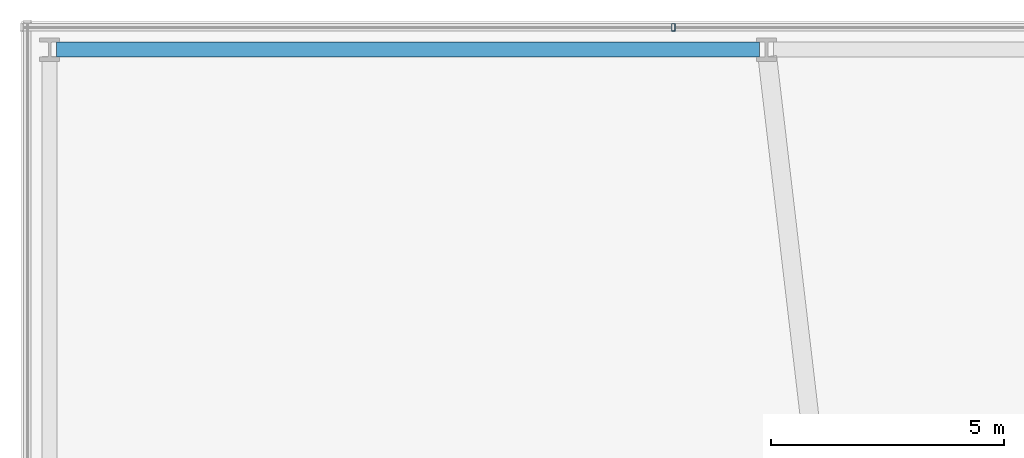
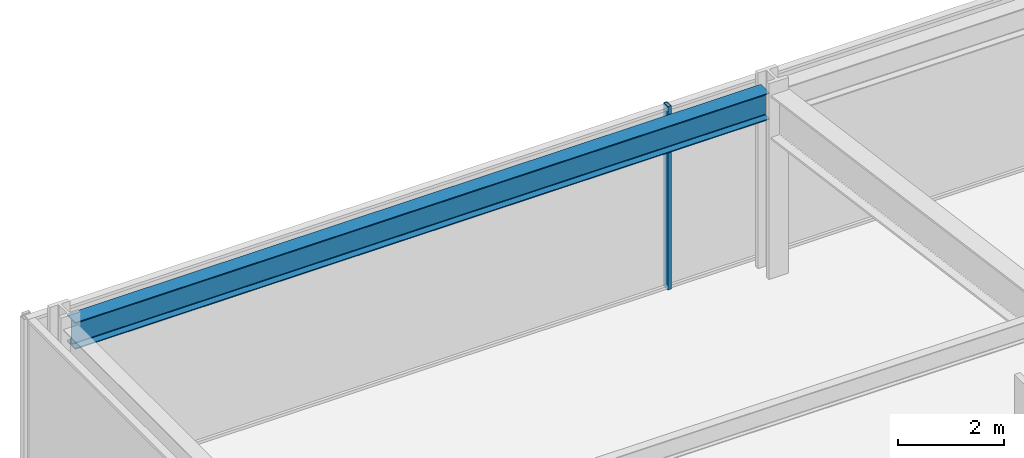
# One storey, part 29 of 47: 1 beam, 1 member, 1 element without a shape of its own.
"""IFC4 building model written with IfcOpenShell, lengths in metres."""

from ifc_helpers import new_model, si_unit, direction, frame, origin, origin_2d, place, context, subcontext, project, spatial, hollow_rectangle, i_section, extrude, material, material_profile, profile_set, type_object, element, aggregate, save


model = new_model("IFC4")

# Units and contexts
model_context = context("Model", 3, precision=1e-05, world=origin(), true_north=direction((0.0, 1.0)))
body_context = subcontext(model_context, "Body", "Model", "MODEL_VIEW")
ifc_project = project(units=[si_unit("LENGTHUNIT", "METRE"), si_unit("AREAUNIT", "SQUARE_METRE"), si_unit("VOLUMEUNIT", "CUBIC_METRE"), si_unit("PLANEANGLEUNIT", "RADIAN"), si_unit("MASSUNIT", "GRAM", prefix="KILO")], contexts=[model_context])

# Site, building, storey
site_placement = place(None, origin())
site = spatial("IfcSite", under=ifc_project, at=site_placement, CompositionType="ELEMENT")
building_placement = place(site_placement, origin())
building = spatial("IfcBuilding", under=site, at=building_placement, Name="Kolvaren Belvedere", CompositionType="ELEMENT")
storey_placement = place(building_placement, frame((0.0, 0.0, 5.5)))
storey = spatial("IfcBuildingStorey", under=building, at=storey_placement, Name="L02", CompositionType="ELEMENT", Elevation=5.5)

# Beam
ifc_material_1 = material(Name="Structural steel ASTM A992 Grade 50", Category="steel")
ifc_material_profile_1 = material_profile(ifc_material_1, i_section(OverallWidth=0.324951171875, OverallDepth=0.615966796875, WebThickness=0.013916015625, FlangeThickness=0.021484375, FilletRadius=0.02001953125, at=origin_2d()), Name="W24X117")
ifc_profile_set_1 = profile_set([ifc_material_profile_1], Name="Structural steel ASTM A992 Grade 50")
beam_type = type_object("IfcBeamType", Name="BM-SPAN-W24X117", PredefinedType="SPANDREL", material=ifc_profile_set_1)
beam_placement = place(storey_placement, frame((-27.25, 27.800048828125, 3.912109375), z_axis=(1.0, 0.0, 0.0), x_axis=(0.0, 1.0, 0.0)))
element("IfcBeam", 1, at=beam_placement, inside=storey, type_object=beam_type, Name="L02 North Podium Spandrel 1", PredefinedType="SPANDREL", context=body_context, shape_type="SweptSolid", body=[
    extrude(i_section(OverallWidth=0.324951171875, OverallDepth=0.615966796875, WebThickness=0.013916015625, FlangeThickness=0.021484375, FilletRadius=0.02001953125, at=origin_2d()), origin(), (0.0, 0.0, 1.0), 15.10009765625),
])

# Curtain wall, member
ifc_material_2 = material(Name="Anodised pale-metal aluminium AA 6063-T6", Category="aluminium")
curtain_wall_type = type_object("IfcCurtainWallType", Name="CW-POD-A", PredefinedType="NOTDEFINED", material=ifc_material_2)
curtain_wall_placement = place(storey_placement, origin())
curtain_wall = element("IfcCurtainWall", 2, at=curtain_wall_placement, inside=storey, type_object=curtain_wall_type, Name="L02 Unitised Curtain Wall FCW-L02-SEG7", PredefinedType="NOTDEFINED")
ifc_material_3 = material(Name="Anodised pale-metal aluminium AA 6063-T6", Category="aluminium")
ifc_material_profile_2 = material_profile(ifc_material_3, hollow_rectangle(XDim=0.074951171875, YDim=0.159912109375, WallThickness=0.00439453125, at=origin_2d()), Name="ALU-MUL-160X75")
ifc_profile_set_2 = profile_set([ifc_material_profile_2], Name="Anodised pale-metal aluminium AA 6063-T6")
member_type = type_object("IfcMemberType", Name="CW-MUL-160", PredefinedType="MULLION", material=ifc_profile_set_2)
member_placement = place(storey_placement, frame((-14.0, 28.280029296875, 0.0), z_axis=(0.0, 0.0, 1.0), x_axis=(1.0, 0.0, 0.0)))
member = element("IfcMember", 3, at=member_placement, type_object=member_type, Name="FCW-L02-SEG7 Unitised Mullion 2", PredefinedType="MULLION", context=body_context, shape_type="SweptSolid", body=[
    extrude(hollow_rectangle(XDim=0.074951171875, YDim=0.159912109375, WallThickness=0.00439453125, at=origin_2d()), origin(), (0.0, 0.0, 1.0), 4.219970703125),
])
aggregate(curtain_wall, [member])

save(model, "model.ifc")
